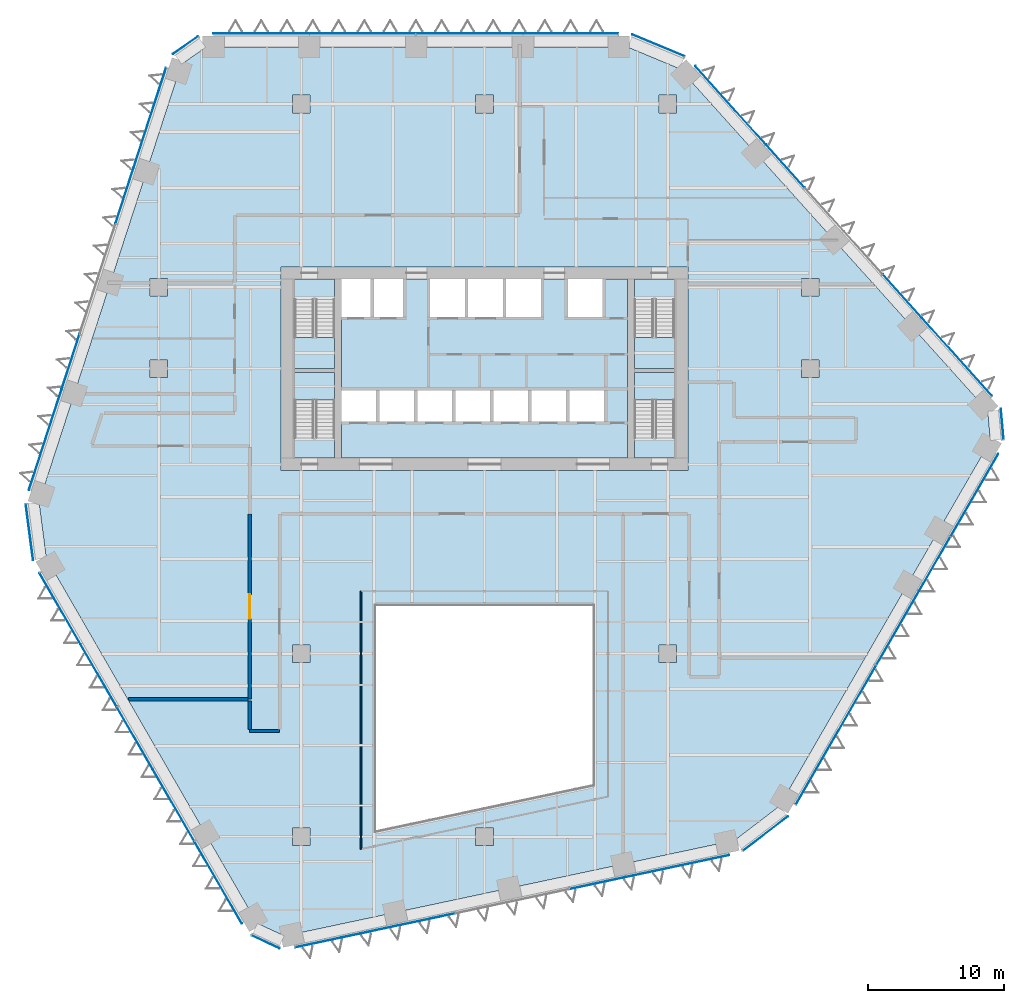
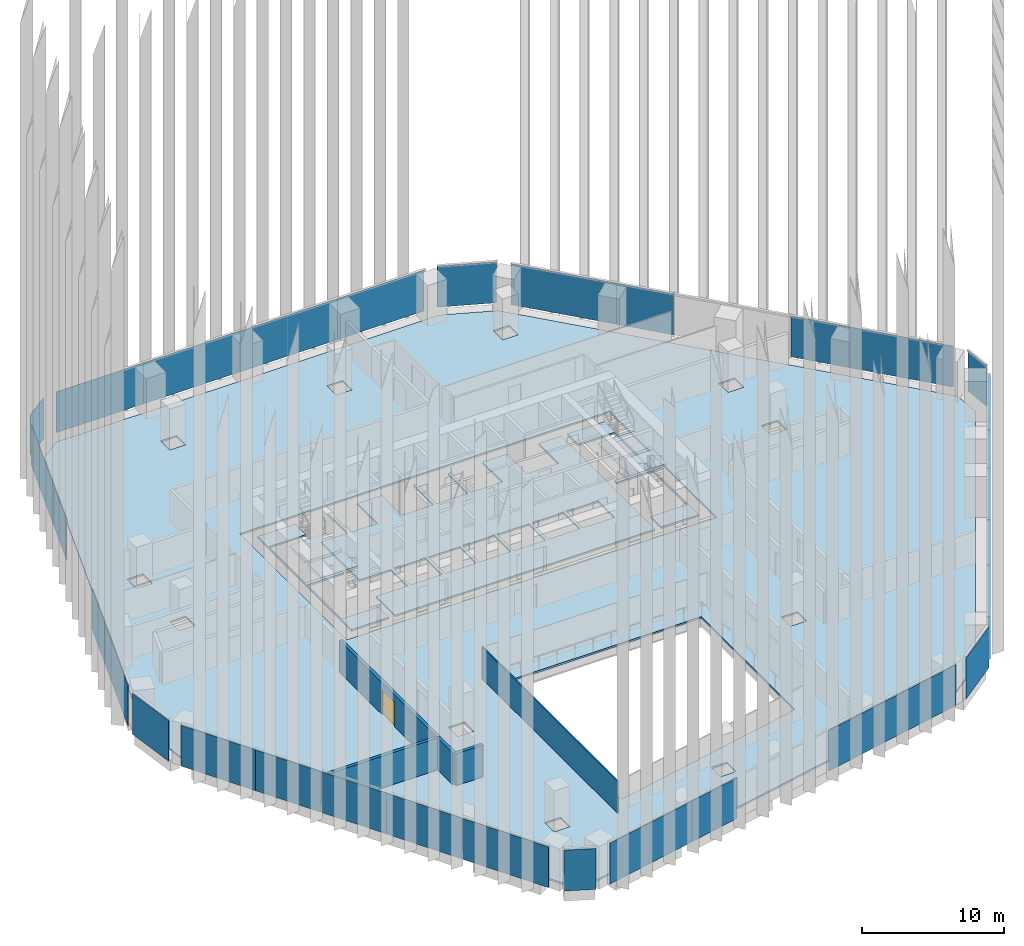
# One storey, part 13 of 24: 32 plates, 8 slabs, 5 walls, 1 door, 1 opening, 16 elements without a shape of their own.
"""IFC4 building model written with IfcOpenShell, lengths in metres."""

from ifc_helpers import new_model, si_unit, direction, frame, frame_2d, origin, origin_2d, place, context, subcontext, project, spatial, polyline, rectangle, outline, extrude, material, layer, layer_set, type_object, element, fill, aggregate, save


model = new_model("IFC4")

# Units and contexts
model_context = context("Model", 3, precision=1e-05, world=origin(), true_north=direction((0.0, 1.0)))
body_context = subcontext(model_context, "Body", "Model", "MODEL_VIEW")
ifc_project = project(units=[si_unit("LENGTHUNIT", "METRE"), si_unit("AREAUNIT", "SQUARE_METRE"), si_unit("VOLUMEUNIT", "CUBIC_METRE"), si_unit("PLANEANGLEUNIT", "RADIAN"), si_unit("MASSUNIT", "GRAM", prefix="KILO")], contexts=[model_context])

# Site, building, storey
site_placement = place(None, origin())
site = spatial("IfcSite", under=ifc_project, at=site_placement, CompositionType="ELEMENT")
building_placement = place(site_placement, origin())
building = spatial("IfcBuilding", under=site, at=building_placement, Name="Isthmus Gate Tower", CompositionType="ELEMENT")
storey_placement = place(building_placement, frame((0.0, 0.0, 80.64990234375)))
storey = spatial("IfcBuildingStorey", under=building, at=storey_placement, Name="L18", CompositionType="ELEMENT", Elevation=80.64990234375)

# Slabs
ifc_material_1 = material(Name="Concrete f'c 40 MPa", Category="concrete")
ifc_layer_1 = layer(ifc_material_1, 0.14990234375)
ifc_layer_set_1 = layer_set([ifc_layer_1], Name="COMPOSITE FLOOR SLAB 150")
slab_type_1 = type_object("IfcSlabType", Name="COMPOSITE FLOOR SLAB 150", PredefinedType="FLOOR", material=ifc_layer_set_1)
slab_1_placement = place(storey_placement, frame((0.0, 0.0, -0.14990234375)))
element("IfcSlab", 1, at=slab_1_placement, inside=storey, type_object=slab_type_1, Name="str-slab-L18-1", PredefinedType="FLOOR", context=body_context, shape_type="SweptSolid", body=[
    extrude(outline(polyline([(14.391357421875, 29.599365234375), (37.081787109375, 4.399169921875), (37.281494140625, 2.17333984375), (21.748779296875, -24.729736328125), (18.438232421875, -27.262939453125), (-14.73095703125, -34.313232421875), (-16.758544921875, -33.373291015625), (-32.291015625, -6.47021484375), (-32.82958984375, -2.33642578125), (-22.3505859375, 29.9140625), (-20.52294921875, 31.199951171875), (10.542236328125, 31.199951171875), (14.391357421875, 29.599365234375)]), holes=[polyline([(-14.14990234375, -27.64990234375), (-12.85009765625, -27.64990234375), (-12.85009765625, -26.35009765625), (-14.14990234375, -26.35009765625), (-14.14990234375, -27.64990234375)]), polyline([(-0.64990234375, -26.35009765625), (-0.64990234375, -27.64990234375), (0.64990234375, -27.64990234375), (0.64990234375, -26.35009765625), (-0.64990234375, -26.35009765625)]), polyline([(-14.14990234375, -12.85009765625), (-14.14990234375, -14.14990234375), (-12.85009765625, -14.14990234375), (-12.85009765625, -12.85009765625), (-14.14990234375, -12.85009765625)]), polyline([(-24.64990234375, 8.14990234375), (-24.64990234375, 6.85009765625), (-23.35009765625, 6.85009765625), (-23.35009765625, 8.14990234375), (-24.64990234375, 8.14990234375)]), polyline([(-23.35009765625, 14.14990234375), (-24.64990234375, 14.14990234375), (-24.64990234375, 12.85009765625), (-23.35009765625, 12.85009765625), (-23.35009765625, 14.14990234375)]), polyline([(-14.14990234375, 27.64990234375), (-14.14990234375, 26.35009765625), (-12.85009765625, 26.35009765625), (-12.85009765625, 27.64990234375), (-14.14990234375, 27.64990234375)]), polyline([(-0.64990234375, 27.64990234375), (-0.64990234375, 26.35009765625), (0.64990234375, 26.35009765625), (0.64990234375, 27.64990234375), (-0.64990234375, 27.64990234375)]), polyline([(8.0, -23.143310546875), (8.0, -10.0), (-8.0, -10.0), (-8.0, -26.544189453125), (8.0, -23.143310546875)]), polyline([(14.14990234375, -12.85009765625), (12.85009765625, -12.85009765625), (12.85009765625, -14.14990234375), (14.14990234375, -14.14990234375), (14.14990234375, -12.85009765625)]), polyline([(15.0, 15.0), (-15.0, 15.0), (-15.0, 0.0), (15.0, 0.0), (15.0, 15.0)]), polyline([(24.64990234375, 8.14990234375), (23.35009765625, 8.14990234375), (23.35009765625, 6.85009765625), (24.64990234375, 6.85009765625), (24.64990234375, 8.14990234375)]), polyline([(23.35009765625, 14.14990234375), (23.35009765625, 12.85009765625), (24.64990234375, 12.85009765625), (24.64990234375, 14.14990234375), (23.35009765625, 14.14990234375)]), polyline([(14.14990234375, 27.64990234375), (12.85009765625, 27.64990234375), (12.85009765625, 26.35009765625), (14.14990234375, 26.35009765625), (14.14990234375, 27.64990234375)])]), origin(), (0.0, 0.0, 1.0), 0.14990234375),
])
ifc_material_2 = material(Name="Concrete f'c 40 MPa", Category="concrete")
ifc_layer_2 = layer(ifc_material_2, 0.14990234375)
ifc_layer_set_2 = layer_set([ifc_layer_2], Name="CORE FLOOR SLAB 150")
slab_type_2 = type_object("IfcSlabType", Name="CORE FLOOR SLAB 150", PredefinedType="FLOOR", material=ifc_layer_set_2)
slab_2_placement = place(storey_placement, frame((0.0, 0.0, -0.14990234375)))
element("IfcSlab", 2, at=slab_2_placement, inside=storey, type_object=slab_type_2, Name="L18 core floor", PredefinedType="FLOOR", context=body_context, shape_type="SweptSolid", body=[
    extrude(outline(polyline([(-11.050048828125, 0.89990234375), (-11.050048828125, 2.402099609375), (-14.0, 2.402099609375), (-14.0, 7.199951171875), (-11.050048828125, 7.199951171875), (-11.050048828125, 7.5), (-14.0, 7.5), (-14.0, 12.597900390625), (-11.050048828125, 12.597900390625), (-11.050048828125, 14.10009765625), (-14.10009765625, 14.10009765625), (-14.10009765625, 0.89990234375), (-11.050048828125, 0.89990234375)])), origin(), (0.0, 0.0, 1.0), 0.14990234375),
])
slab_3_placement = place(storey_placement, frame((0.0, 0.0, -0.14990234375)))
element("IfcSlab", 3, at=slab_3_placement, inside=storey, type_object=slab_type_2, Name="L18 core floor", PredefinedType="FLOOR", context=body_context, shape_type="SweptSolid", body=[
    extrude(outline(polyline([(10.550048828125, 14.10009765625), (8.699951171875, 14.10009765625), (8.699951171875, 11.300048828125), (6.14990234375, 11.300048828125), (6.14990234375, 14.10009765625), (4.14990234375, 14.10009765625), (4.14990234375, 11.300048828125), (1.60009765625, 11.300048828125), (1.60009765625, 14.10009765625), (1.35009765625, 14.10009765625), (1.35009765625, 11.300048828125), (-1.199951171875, 11.300048828125), (-1.199951171875, 14.10009765625), (-1.449951171875, 14.10009765625), (-1.449951171875, 11.300048828125), (-4.0, 11.300048828125), (-4.0, 14.10009765625), (-6.0, 14.10009765625), (-6.0, 11.300048828125), (-8.14990234375, 11.300048828125), (-8.14990234375, 14.10009765625), (-8.39990234375, 14.10009765625), (-8.39990234375, 11.300048828125), (-10.550048828125, 11.300048828125), (-10.550048828125, 5.89990234375), (-8.0, 5.89990234375), (-8.0, 3.60009765625), (-10.550048828125, 3.60009765625), (-10.550048828125, 0.89990234375), (10.550048828125, 0.89990234375), (10.550048828125, 14.10009765625)]), holes=[polyline([(-5.199951171875, 5.89990234375), (-5.199951171875, 3.60009765625), (-7.75, 3.60009765625), (-7.75, 5.89990234375), (-5.199951171875, 5.89990234375)]), polyline([(-2.39990234375, 5.89990234375), (-2.39990234375, 3.60009765625), (-4.949951171875, 3.60009765625), (-4.949951171875, 5.89990234375), (-2.39990234375, 5.89990234375)]), polyline([(0.39990234375, 5.89990234375), (0.39990234375, 3.60009765625), (-2.14990234375, 3.60009765625), (-2.14990234375, 5.89990234375), (0.39990234375, 5.89990234375)]), polyline([(3.199951171875, 5.89990234375), (3.199951171875, 3.60009765625), (0.64990234375, 3.60009765625), (0.64990234375, 5.89990234375), (3.199951171875, 5.89990234375)]), polyline([(6.0, 5.89990234375), (6.0, 3.60009765625), (3.449951171875, 3.60009765625), (3.449951171875, 5.89990234375), (6.0, 5.89990234375)]), polyline([(8.800048828125, 5.89990234375), (8.800048828125, 3.60009765625), (6.25, 3.60009765625), (6.25, 5.89990234375), (8.800048828125, 5.89990234375)])]), origin(), (0.0, 0.0, 1.0), 0.14990234375),
])
slab_4_placement = place(storey_placement, frame((0.0, 0.0, -0.14990234375)))
element("IfcSlab", 4, at=slab_4_placement, inside=storey, type_object=slab_type_2, Name="L18 core floor", PredefinedType="FLOOR", context=body_context, shape_type="SweptSolid", body=[
    extrude(outline(polyline([(11.050048828125, 14.10009765625), (11.050048828125, 12.597900390625), (14.0, 12.597900390625), (14.0, 7.5), (11.050048828125, 7.5), (11.050048828125, 7.199951171875), (14.0, 7.199951171875), (14.0, 2.402099609375), (11.050048828125, 2.402099609375), (11.050048828125, 0.89990234375), (14.10009765625, 0.89990234375), (14.10009765625, 14.10009765625), (11.050048828125, 14.10009765625)])), origin(), (0.0, 0.0, 1.0), 0.14990234375),
])

# Curtain wall, plates
ifc_material_3 = material(Name="Aluminium, pale champagne anodised", Category="aluminium")
ifc_layer_3 = layer(ifc_material_3, 0.199951171875)
ifc_layer_set_3 = layer_set([ifc_layer_3], Name="CW-1 UNITISED CURTAIN WALL 200 DEEP")
curtain_wall_type = type_object("IfcCurtainWallType", Name="CW-1 UNITISED CURTAIN WALL 200 DEEP", PredefinedType="NOTDEFINED", material=ifc_layer_set_3)
curtain_wall_1_placement = place(storey_placement, origin())
curtain_wall_1 = element("IfcCurtainWall", 5, at=curtain_wall_1_placement, inside=storey, type_object=curtain_wall_type, Name="CW-1 N L18", PredefinedType="NOTDEFINED")
ifc_material_4 = material(Name="Laminated low-iron glass, pale blue tint", Category="glass")
ifc_layer_4 = layer(ifc_material_4, 0.0400390625)
ifc_layer_set_4 = layer_set([ifc_layer_4], Name="CW-1 CLEAR GLASS LITE 40")
plate_type = type_object("IfcPlateType", Name="CW-1 CLEAR GLASS LITE 40", PredefinedType="CURTAIN_PANEL", material=ifc_layer_set_4)
plate_1_placement = place(storey_placement, frame((6.337158203125, 32.179931640625, 0.0), z_axis=(0.0, 0.0, 1.0), x_axis=(-1.0, 0.0, 0.0)))
plate_1 = element("IfcPlate", 6, at=plate_1_placement, type_object=plate_type, Name="CW-1 glass lite", PredefinedType="CURTAIN_PANEL", context=body_context, shape_type="SweptSolid", body=[
    extrude(rectangle(XDim=7.009521484375, YDim=0.0400390625, at=origin_2d()), origin(), (0.0, 0.0, 1.0), 3.5),
])
plate_2_placement = place(storey_placement, frame((-1.1025390625, 32.179931640625, 0.0), z_axis=(0.0, 0.0, 1.0), x_axis=(-1.0, 0.0, 0.0)))
plate_2 = element("IfcPlate", 7, at=plate_2_placement, type_object=plate_type, Name="CW-1 glass lite", PredefinedType="CURTAIN_PANEL", context=body_context, shape_type="SweptSolid", body=[
    extrude(rectangle(XDim=7.86962890625, YDim=0.0400390625, at=origin_2d()), origin(), (0.0, 0.0, 1.0), 3.5),
])
plate_3_placement = place(storey_placement, frame((-9.001953125, 32.179931640625, 0.0), z_axis=(0.0, 0.0, 1.0), x_axis=(-1.0, 0.0, 0.0)))
plate_3 = element("IfcPlate", 8, at=plate_3_placement, type_object=plate_type, Name="CW-1 glass lite", PredefinedType="CURTAIN_PANEL", context=body_context, shape_type="SweptSolid", body=[
    extrude(rectangle(XDim=7.8095703125, YDim=0.0400390625, at=origin_2d()), origin(), (0.0, 0.0, 1.0), 3.5),
])
plate_4_placement = place(storey_placement, frame((-16.44140625, 32.179931640625, 0.0), z_axis=(0.0, 0.0, 1.0), x_axis=(-1.0, 0.0, 0.0)))
plate_4 = element("IfcPlate", 9, at=plate_4_placement, type_object=plate_type, Name="CW-1 glass lite", PredefinedType="CURTAIN_PANEL", context=body_context, shape_type="SweptSolid", body=[
    extrude(rectangle(XDim=7.069580078125, YDim=0.0400390625, at=origin_2d()), origin(), (0.0, 0.0, 1.0), 3.5),
])
aggregate(curtain_wall_1, [plate_1, plate_2, plate_3, plate_4])

# Curtain wall, plate
curtain_wall_2_placement = place(storey_placement, origin())
curtain_wall_2 = element("IfcCurtainWall", 10, at=curtain_wall_2_placement, inside=storey, type_object=curtain_wall_type, Name="CW-1 N-NW L18", PredefinedType="NOTDEFINED")
plate_5_placement = place(storey_placement, frame((-22.025146484375, 31.341552734375, 0.0), z_axis=(0.0, 0.0, 1.0), x_axis=(-0.81785959165, -0.57541783805, 0.0)))
plate_5 = element("IfcPlate", 11, at=plate_5_placement, type_object=plate_type, Name="CW-1 glass lite", PredefinedType="CURTAIN_PANEL", context=body_context, shape_type="SweptSolid", body=[
    extrude(rectangle(XDim=2.258544921875, YDim=0.0400390625, at=origin_2d()), origin(), (0.0, 0.0, 1.0), 3.5),
])
aggregate(curtain_wall_2, [plate_5])

# Curtain wall, plates
curtain_wall_3_placement = place(storey_placement, origin())
curtain_wall_3 = element("IfcCurtainWall", 12, at=curtain_wall_3_placement, inside=storey, type_object=curtain_wall_type, Name="CW-1 NW L18", PredefinedType="NOTDEFINED")
plate_6_placement = place(storey_placement, frame((-24.660400390625, 25.97705078125, 0.0), z_axis=(0.0, 0.0, 1.0), x_axis=(-0.309016994375, -0.951056516295, 0.0)))
plate_6 = element("IfcPlate", 13, at=plate_6_placement, type_object=plate_type, Name="CW-1 glass lite", PredefinedType="CURTAIN_PANEL", context=body_context, shape_type="SweptSolid", body=[
    extrude(rectangle(XDim=7.729248046875, YDim=0.0400390625, at=origin_2d()), origin(), (0.0, 0.0, 1.0), 3.5),
])
plate_7_placement = place(storey_placement, frame((-26.51806640625, 20.25927734375, 0.0), z_axis=(0.0, 0.0, 1.0), x_axis=(-0.309016994375, -0.951056516295, 0.0)))
plate_7 = element("IfcPlate", 14, at=plate_7_placement, type_object=plate_type, Name="CW-1 glass lite", PredefinedType="CURTAIN_PANEL", context=body_context, shape_type="SweptSolid", body=[
    extrude(rectangle(XDim=4.294677734375, YDim=0.0400390625, at=origin_2d()), origin(), (0.0, 0.0, 1.0), 3.5),
])
plate_8_placement = place(storey_placement, frame((-30.5087890625, 7.9775390625, 0.0), z_axis=(0.0, 0.0, 1.0), x_axis=(-0.309016994375, -0.951056516295, 0.0)))
plate_8 = element("IfcPlate", 15, at=plate_8_placement, type_object=plate_type, Name="CW-1 glass lite", PredefinedType="CURTAIN_PANEL", context=body_context, shape_type="SweptSolid", body=[
    extrude(rectangle(XDim=4.234619140625, YDim=0.0400390625, at=origin_2d()), origin(), (0.0, 0.0, 1.0), 3.5),
])
plate_9_placement = place(storey_placement, frame((-32.36669921875, 2.259765625, 0.0), z_axis=(0.0, 0.0, 1.0), x_axis=(-0.309016994375, -0.951056516295, 0.0)))
plate_9 = element("IfcPlate", 16, at=plate_9_placement, type_object=plate_type, Name="CW-1 glass lite", PredefinedType="CURTAIN_PANEL", context=body_context, shape_type="SweptSolid", body=[
    extrude(rectangle(XDim=7.789306640625, YDim=0.0400390625, at=origin_2d()), origin(), (0.0, 0.0, 1.0), 3.5),
])
aggregate(curtain_wall_3, [plate_6, plate_7, plate_8, plate_9])

# Curtain wall, plate
curtain_wall_4_placement = place(storey_placement, origin())
curtain_wall_4 = element("IfcCurtainWall", 17, at=curtain_wall_4_placement, inside=storey, type_object=curtain_wall_type, Name="CW-1 NW-SW L18", PredefinedType="NOTDEFINED")
plate_10_placement = place(storey_placement, frame((-33.5283203125, -4.558349609375, 0.0), z_axis=(0.0, 0.0, 1.0), x_axis=(0.129164534, -0.991623175988, 0.0)))
plate_10 = element("IfcPlate", 18, at=plate_10_placement, type_object=plate_type, Name="CW-1 glass lite", PredefinedType="CURTAIN_PANEL", context=body_context, shape_type="SweptSolid", body=[
    extrude(rectangle(XDim=4.181396484375, YDim=0.0400390625, at=origin_2d()), origin(), (0.0, 0.0, 1.0), 3.5),
])
aggregate(curtain_wall_4, [plate_10])

# Curtain wall, plates
curtain_wall_5_placement = place(storey_placement, origin())
curtain_wall_5 = element("IfcCurtainWall", 19, at=curtain_wall_5_placement, inside=storey, type_object=curtain_wall_type, Name="CW-1 SW L18", PredefinedType="NOTDEFINED")
plate_11_placement = place(storey_placement, frame((-31.277587890625, -10.185791015625, 0.0), z_axis=(0.0, 0.0, 1.0), x_axis=(0.5, -0.866025403784, 0.0)))
plate_11 = element("IfcPlate", 20, at=plate_11_placement, type_object=plate_type, Name="CW-1 glass lite", PredefinedType="CURTAIN_PANEL", context=body_context, shape_type="SweptSolid", body=[
    extrude(rectangle(XDim=6.048583984375, YDim=0.0400390625, at=origin_2d()), origin(), (0.0, 0.0, 1.0), 3.5),
])
plate_12_placement = place(storey_placement, frame((-28.438232421875, -15.103759765625, 0.0), z_axis=(0.0, 0.0, 1.0), x_axis=(0.5, -0.866025403784, 0.0)))
plate_12 = element("IfcPlate", 21, at=plate_12_placement, type_object=plate_type, Name="CW-1 glass lite", PredefinedType="CURTAIN_PANEL", context=body_context, shape_type="SweptSolid", body=[
    extrude(rectangle(XDim=5.30859375, YDim=0.0400390625, at=origin_2d()), origin(), (0.0, 0.0, 1.0), 3.5),
])
plate_13_placement = place(storey_placement, frame((-25.768798828125, -19.72705078125, 0.0), z_axis=(0.0, 0.0, 1.0), x_axis=(0.5, -0.866025403784, 0.0)))
plate_13 = element("IfcPlate", 22, at=plate_13_placement, type_object=plate_type, Name="CW-1 glass lite", PredefinedType="CURTAIN_PANEL", context=body_context, shape_type="SweptSolid", body=[
    extrude(rectangle(XDim=5.24853515625, YDim=0.0400390625, at=origin_2d()), origin(), (0.0, 0.0, 1.0), 3.5),
])
plate_14_placement = place(storey_placement, frame((-22.929443359375, -24.644775390625, 0.0), z_axis=(0.0, 0.0, 1.0), x_axis=(0.5, -0.866025403784, 0.0)))
plate_14 = element("IfcPlate", 23, at=plate_14_placement, type_object=plate_type, Name="CW-1 glass lite", PredefinedType="CURTAIN_PANEL", context=body_context, shape_type="SweptSolid", body=[
    extrude(rectangle(XDim=6.108642578125, YDim=0.0400390625, at=origin_2d()), origin(), (0.0, 0.0, 1.0), 3.5),
])
plate_15_placement = place(storey_placement, frame((-19.62646484375, -30.365966796875, 0.0), z_axis=(0.0, 0.0, 1.0), x_axis=(0.5, -0.866025403784, 0.0)))
plate_15 = element("IfcPlate", 24, at=plate_15_placement, type_object=plate_type, Name="CW-1 glass lite", PredefinedType="CURTAIN_PANEL", context=body_context, shape_type="SweptSolid", body=[
    extrude(rectangle(XDim=6.983642578125, YDim=0.0400390625, at=origin_2d()), origin(), (0.0, 0.0, 1.0), 3.5),
])
aggregate(curtain_wall_5, [plate_11, plate_12, plate_13, plate_14, plate_15])

# Curtain wall, plate
curtain_wall_6_placement = place(storey_placement, origin())
curtain_wall_6 = element("IfcCurtainWall", 25, at=curtain_wall_6_placement, inside=storey, type_object=curtain_wall_type, Name="CW-1 SW-S L18", PredefinedType="NOTDEFINED")
plate_16_placement = place(storey_placement, frame((-16.1298828125, -34.7451171875, 0.0), z_axis=(0.0, 0.0, 1.0), x_axis=(0.907256261367, -0.420578264073, 0.0)))
plate_16 = element("IfcPlate", 26, at=plate_16_placement, type_object=plate_type, Name="CW-1 glass lite", PredefinedType="CURTAIN_PANEL", context=body_context, shape_type="SweptSolid", body=[
    extrude(rectangle(XDim=2.258544921875, YDim=0.0400390625, at=origin_2d()), origin(), (0.0, 0.0, 1.0), 3.5),
])
aggregate(curtain_wall_6, [plate_16])

# Curtain wall, plates
curtain_wall_7_placement = place(storey_placement, origin())
curtain_wall_7 = element("IfcCurtainWall", 27, at=curtain_wall_7_placement, inside=storey, type_object=curtain_wall_type, Name="CW-1 S L18", PredefinedType="NOTDEFINED")
plate_17_placement = place(storey_placement, frame((-10.166748046875, -34.344970703125, 0.0), z_axis=(0.0, 0.0, 1.0), x_axis=(0.978147600734, 0.207911690818, 0.0)))
plate_17 = element("IfcPlate", 28, at=plate_17_placement, type_object=plate_type, Name="CW-1 glass lite", PredefinedType="CURTAIN_PANEL", context=body_context, shape_type="SweptSolid", body=[
    extrude(rectangle(XDim=7.729248046875, YDim=0.0400390625, at=origin_2d()), origin(), (0.0, 0.0, 1.0), 3.5),
])
plate_18_placement = place(storey_placement, frame((-4.2861328125, -33.094970703125, 0.0), z_axis=(0.0, 0.0, 1.0), x_axis=(0.978147600734, 0.207911690818, 0.0)))
plate_18 = element("IfcPlate", 29, at=plate_18_placement, type_object=plate_type, Name="CW-1 glass lite", PredefinedType="CURTAIN_PANEL", context=body_context, shape_type="SweptSolid", body=[
    extrude(rectangle(XDim=4.294677734375, YDim=0.0400390625, at=origin_2d()), origin(), (0.0, 0.0, 1.0), 3.5),
])
plate_19_placement = place(storey_placement, frame((8.345703125, -30.41015625, 0.0), z_axis=(0.0, 0.0, 1.0), x_axis=(0.978147600734, 0.207911690818, 0.0)))
plate_19 = element("IfcPlate", 30, at=plate_19_placement, type_object=plate_type, Name="CW-1 glass lite", PredefinedType="CURTAIN_PANEL", context=body_context, shape_type="SweptSolid", body=[
    extrude(rectangle(XDim=4.234619140625, YDim=0.0400390625, at=origin_2d()), origin(), (0.0, 0.0, 1.0), 3.5),
])
plate_20_placement = place(storey_placement, frame((14.226318359375, -29.16015625, 0.0), z_axis=(0.0, 0.0, 1.0), x_axis=(0.978147600734, 0.207911690818, 0.0)))
plate_20 = element("IfcPlate", 31, at=plate_20_placement, type_object=plate_type, Name="CW-1 glass lite", PredefinedType="CURTAIN_PANEL", context=body_context, shape_type="SweptSolid", body=[
    extrude(rectangle(XDim=7.789306640625, YDim=0.0400390625, at=origin_2d()), origin(), (0.0, 0.0, 1.0), 3.5),
])
aggregate(curtain_wall_7, [plate_17, plate_18, plate_19, plate_20])

# Curtain wall, plate
curtain_wall_8_placement = place(storey_placement, origin())
curtain_wall_8 = element("IfcCurtainWall", 32, at=curtain_wall_8_placement, inside=storey, type_object=curtain_wall_type, Name="CW-1 S-SE L18", PredefinedType="NOTDEFINED")
plate_21_placement = place(storey_placement, frame((20.711669921875, -26.75732421875, 0.0), z_axis=(0.0, 0.0, 1.0), x_axis=(0.794188594387, 0.607671355706, 0.0)))
plate_21 = element("IfcPlate", 33, at=plate_21_placement, type_object=plate_type, Name="CW-1 glass lite", PredefinedType="CURTAIN_PANEL", context=body_context, shape_type="SweptSolid", body=[
    extrude(rectangle(XDim=4.181396484375, YDim=0.0400390625, at=origin_2d()), origin(), (0.0, 0.0, 1.0), 3.5),
])
aggregate(curtain_wall_8, [plate_21])

# Curtain wall, plates
curtain_wall_9_placement = place(storey_placement, origin())
curtain_wall_9 = element("IfcCurtainWall", 34, at=curtain_wall_9_placement, inside=storey, type_object=curtain_wall_type, Name="CW-1 SE L18", PredefinedType="NOTDEFINED")
plate_22_placement = place(storey_placement, frame((24.517333984375, -21.89453125, 0.0), z_axis=(0.0, 0.0, 1.0), x_axis=(0.5, 0.866025403784, 0.0)))
plate_22 = element("IfcPlate", 35, at=plate_22_placement, type_object=plate_type, Name="CW-1 glass lite", PredefinedType="CURTAIN_PANEL", context=body_context, shape_type="SweptSolid", body=[
    extrude(rectangle(XDim=6.278564453125, YDim=0.0400390625, at=origin_2d()), origin(), (0.0, 0.0, 1.0), 3.5),
])
plate_23_placement = place(storey_placement, frame((27.4716796875, -16.777587890625, 0.0), z_axis=(0.0, 0.0, 1.0), x_axis=(0.5, 0.866025403784, 0.0)))
plate_23 = element("IfcPlate", 36, at=plate_23_placement, type_object=plate_type, Name="CW-1 glass lite", PredefinedType="CURTAIN_PANEL", context=body_context, shape_type="SweptSolid", body=[
    extrude(rectangle(XDim=5.53857421875, YDim=0.0400390625, at=origin_2d()), origin(), (0.0, 0.0, 1.0), 3.5),
])
plate_24_placement = place(storey_placement, frame((30.4560546875, -11.608642578125, 0.0), z_axis=(0.0, 0.0, 1.0), x_axis=(0.5, 0.866025403784, 0.0)))
plate_24 = element("IfcPlate", 37, at=plate_24_placement, type_object=plate_type, Name="CW-1 glass lite", PredefinedType="CURTAIN_PANEL", context=body_context, shape_type="SweptSolid", body=[
    extrude(rectangle(XDim=6.278564453125, YDim=0.0400390625, at=origin_2d()), origin(), (0.0, 0.0, 1.0), 3.5),
])
plate_25_placement = place(storey_placement, frame((33.173828125, -6.901123046875, 0.0), z_axis=(0.0, 0.0, 1.0), x_axis=(0.5, 0.866025403784, 0.0)))
plate_25 = element("IfcPlate", 38, at=plate_25_placement, type_object=plate_type, Name="CW-1 glass lite", PredefinedType="CURTAIN_PANEL", context=body_context, shape_type="SweptSolid", body=[
    extrude(rectangle(XDim=4.5927734375, YDim=0.0400390625, at=origin_2d()), origin(), (0.0, 0.0, 1.0), 3.5),
])
plate_26_placement = place(storey_placement, frame((36.1044921875, -1.8251953125, 0.0), z_axis=(0.0, 0.0, 1.0), x_axis=(0.5, 0.866025403784, 0.0)))
plate_26 = element("IfcPlate", 39, at=plate_26_placement, type_object=plate_type, Name="CW-1 glass lite", PredefinedType="CURTAIN_PANEL", context=body_context, shape_type="SweptSolid", body=[
    extrude(rectangle(XDim=7.009521484375, YDim=0.0400390625, at=origin_2d()), origin(), (0.0, 0.0, 1.0), 3.5),
])
aggregate(curtain_wall_9, [plate_22, plate_23, plate_24, plate_25, plate_26])

# Curtain wall, plate
curtain_wall_10_placement = place(storey_placement, origin())
curtain_wall_10 = element("IfcCurtainWall", 40, at=curtain_wall_10_placement, inside=storey, type_object=curtain_wall_type, Name="CW-1 SE-NE L18", PredefinedType="NOTDEFINED")
plate_27_placement = place(storey_placement, frame((38.155029296875, 3.403564453125, 0.0), z_axis=(0.0, 0.0, 1.0), x_axis=(-0.089396669717, 0.995996102123, 0.0)))
plate_27 = element("IfcPlate", 41, at=plate_27_placement, type_object=plate_type, Name="CW-1 glass lite", PredefinedType="CURTAIN_PANEL", context=body_context, shape_type="SweptSolid", body=[
    extrude(rectangle(XDim=2.258544921875, YDim=0.0400390625, at=origin_2d()), origin(), (0.0, 0.0, 1.0), 3.5),
])
aggregate(curtain_wall_10, [plate_27])

# Curtain wall, plates
curtain_wall_11_placement = place(storey_placement, origin())
curtain_wall_11 = element("IfcCurtainWall", 42, at=curtain_wall_11_placement, inside=storey, type_object=curtain_wall_type, Name="CW-1 NE L18", PredefinedType="NOTDEFINED")
plate_28_placement = place(storey_placement, frame((34.826904296875, 8.367919921875, 0.0), z_axis=(0.0, 0.0, 1.0), x_axis=(-0.669130606359, 0.743144825477, 0.0)))
plate_28 = element("IfcPlate", 43, at=plate_28_placement, type_object=plate_type, Name="CW-1 glass lite", PredefinedType="CURTAIN_PANEL", context=body_context, shape_type="SweptSolid", body=[
    extrude(rectangle(XDim=7.729248046875, YDim=0.0400390625, at=origin_2d()), origin(), (0.0, 0.0, 1.0), 3.5),
])
plate_29_placement = place(storey_placement, frame((30.80419921875, 12.835693359375, 0.0), z_axis=(0.0, 0.0, 1.0), x_axis=(-0.669130606359, 0.743144825477, 0.0)))
plate_29 = element("IfcPlate", 44, at=plate_29_placement, type_object=plate_type, Name="CW-1 glass lite", PredefinedType="CURTAIN_PANEL", context=body_context, shape_type="SweptSolid", body=[
    extrude(rectangle(XDim=4.294677734375, YDim=0.0400390625, at=origin_2d()), origin(), (0.0, 0.0, 1.0), 3.5),
])
plate_30_placement = place(storey_placement, frame((22.1630859375, 22.4326171875, 0.0), z_axis=(0.0, 0.0, 1.0), x_axis=(-0.669130606359, 0.743144825477, 0.0)))
plate_30 = element("IfcPlate", 45, at=plate_30_placement, type_object=plate_type, Name="CW-1 glass lite", PredefinedType="CURTAIN_PANEL", context=body_context, shape_type="SweptSolid", body=[
    extrude(rectangle(XDim=4.234619140625, YDim=0.0400390625, at=origin_2d()), origin(), (0.0, 0.0, 1.0), 3.5),
])
plate_31_placement = place(storey_placement, frame((18.14013671875, 26.900390625, 0.0), z_axis=(0.0, 0.0, 1.0), x_axis=(-0.669130606359, 0.743144825477, 0.0)))
plate_31 = element("IfcPlate", 46, at=plate_31_placement, type_object=plate_type, Name="CW-1 glass lite", PredefinedType="CURTAIN_PANEL", context=body_context, shape_type="SweptSolid", body=[
    extrude(rectangle(XDim=7.789306640625, YDim=0.0400390625, at=origin_2d()), origin(), (0.0, 0.0, 1.0), 3.5),
])
aggregate(curtain_wall_11, [plate_28, plate_29, plate_30, plate_31])

# Curtain wall, plate
curtain_wall_12_placement = place(storey_placement, origin())
curtain_wall_12 = element("IfcCurtainWall", 47, at=curtain_wall_12_placement, inside=storey, type_object=curtain_wall_type, Name="CW-1 NE-N L18", PredefinedType="NOTDEFINED")
plate_32_placement = place(storey_placement, frame((12.816650390625, 31.315673828125, 0.0), z_axis=(0.0, 0.0, 1.0), x_axis=(-0.923353128387, 0.383951820282, 0.0)))
plate_32 = element("IfcPlate", 48, at=plate_32_placement, type_object=plate_type, Name="CW-1 glass lite", PredefinedType="CURTAIN_PANEL", context=body_context, shape_type="SweptSolid", body=[
    extrude(rectangle(XDim=4.181396484375, YDim=0.0400390625, at=origin_2d()), origin(), (0.0, 0.0, 1.0), 3.5),
])
aggregate(curtain_wall_12, [plate_32])

# Stair, slab
ifc_material_5 = material(Name="Concrete f'c 40 MPa", Category="concrete")
stair_type = type_object("IfcStairType", Name="CORE STAIR 22 RISERS", PredefinedType="HALF_TURN_STAIR", material=ifc_material_5)
stair_1_placement = place(storey_placement, origin())
stair_1 = element("IfcStair", 49, at=stair_1_placement, inside=storey, type_object=stair_type, Name="L18 Exit Stair 1", PredefinedType="HALF_TURN_STAIR")
ifc_material_6 = material(Name="Concrete f'c 40 MPa", Category="concrete")
ifc_layer_5 = layer(ifc_material_6, 0.199951171875)
ifc_layer_set_5 = layer_set([ifc_layer_5])
slab_type_3 = type_object("IfcSlabType", Name="STAIR LANDING RC 200", PredefinedType="LANDING", material=ifc_layer_set_5)
slab_5_placement = place(storey_placement, frame((0.0, 0.0, 1.625)))
slab_5 = element("IfcSlab", 50, at=slab_5_placement, type_object=slab_type_3, Name="ST1 landing 1", PredefinedType="LANDING", context=body_context, shape_type="SweptSolid", body=[
    extrude(outline(polyline([(-14.0, 9.800048828125), (-14.0, 7.5), (-11.050048828125, 7.5), (-11.050048828125, 9.800048828125), (-14.0, 9.800048828125)])), origin(), (0.0, 0.0, 1.0), 0.2001953125),
])
aggregate(stair_1, [slab_5])

stair_2_placement = place(storey_placement, origin())
stair_2 = element("IfcStair", 51, at=stair_2_placement, inside=storey, type_object=stair_type, Name="L18 Exit Stair 2", PredefinedType="HALF_TURN_STAIR")
slab_6_placement = place(storey_placement, frame((0.0, 0.0, 1.625)))
slab_6 = element("IfcSlab", 52, at=slab_6_placement, type_object=slab_type_3, Name="ST2 landing 1", PredefinedType="LANDING", context=body_context, shape_type="SweptSolid", body=[
    extrude(outline(polyline([(11.050048828125, 9.800048828125), (11.050048828125, 7.5), (14.0, 7.5), (14.0, 9.800048828125), (11.050048828125, 9.800048828125)])), origin(), (0.0, 0.0, 1.0), 0.2001953125),
])
aggregate(stair_2, [slab_6])

stair_3_placement = place(storey_placement, origin())
stair_3 = element("IfcStair", 53, at=stair_3_placement, inside=storey, type_object=stair_type, Name="L18 Exit Stair 7", PredefinedType="HALF_TURN_STAIR")
slab_7_placement = place(storey_placement, frame((0.0, 0.0, 1.625)))
slab_7 = element("IfcSlab", 54, at=slab_7_placement, type_object=slab_type_3, Name="ST7 landing 1", PredefinedType="LANDING", context=body_context, shape_type="SweptSolid", body=[
    extrude(outline(polyline([(-11.050048828125, 5.199951171875), (-11.050048828125, 7.199951171875), (-14.0, 7.199951171875), (-14.0, 5.199951171875), (-11.050048828125, 5.199951171875)])), origin(), (0.0, 0.0, 1.0), 0.2001953125),
])
aggregate(stair_3, [slab_7])

stair_4_placement = place(storey_placement, origin())
stair_4 = element("IfcStair", 55, at=stair_4_placement, inside=storey, type_object=stair_type, Name="L18 Exit Stair 8", PredefinedType="HALF_TURN_STAIR")
slab_8_placement = place(storey_placement, frame((0.0, 0.0, 1.625)))
slab_8 = element("IfcSlab", 56, at=slab_8_placement, type_object=slab_type_3, Name="ST8 landing 1", PredefinedType="LANDING", context=body_context, shape_type="SweptSolid", body=[
    extrude(outline(polyline([(14.0, 5.199951171875), (14.0, 7.199951171875), (11.050048828125, 7.199951171875), (11.050048828125, 5.199951171875), (14.0, 5.199951171875)])), origin(), (0.0, 0.0, 1.0), 0.2001953125),
])
aggregate(stair_4, [slab_8])

# Wall
ifc_material_7 = material(Name="Double-leaf acoustic stud wall, fire-rated", Category="gypsum")
ifc_layer_6 = layer(ifc_material_7, 0.25)
ifc_layer_set_6 = layer_set([ifc_layer_6], Name="ACOUSTIC WALL 250 60 MIN")
wall_type_1 = type_object("IfcWallType", Name="ACOUSTIC WALL 250 60 MIN", PredefinedType="PARTITIONING", material=ifc_layer_set_6)
wall_1_placement = place(storey_placement, frame((-15.10009765625, -19.199951171875, 0.0), z_axis=(0.0, 0.0, 1.0), x_axis=(-1.0, 0.0, 0.0)))
element("IfcWall", 57, at=wall_1_placement, inside=storey, type_object=wall_type_1, Name="L18 Acoustic Wall 250 60 Min", PredefinedType="PARTITIONING", context=body_context, shape_type="SweptSolid", body=[
    extrude(rectangle(XDim=2.199951171875, YDim=0.25, at=frame_2d((1.10009765625, 0.0))), origin(), (0.0, 0.0, 1.0), 2.7412109375),
])

# Wall, opening, door
wall_2_placement = place(storey_placement, frame((-17.300048828125, -16.862060546875, 0.0), z_axis=(0.0, 0.0, 1.0), x_axis=(0.0, 1.0, 0.0)))
wall_2 = element("IfcWall", 58, at=wall_2_placement, inside=storey, type_object=wall_type_1, Name="L18 Acoustic Wall 250 60 Min", PredefinedType="PARTITIONING", context=body_context, shape_type="SweptSolid", body=[
    extrude(rectangle(XDim=13.66015625, YDim=0.25, at=frame_2d((6.830078125, 0.0))), origin(), (0.0, 0.0, 1.0), 2.7412109375),
])
opening_placement = place(wall_2_placement, frame((5.929931640625, 0.0, 0.0)))
opening = element("IfcOpeningElement", 59, at=opening_placement, cuts=wall_2, Name="Opening DT-T2A-10", PredefinedType="OPENING", context=body_context, shape_type="SweptSolid", body=[
    extrude(rectangle(XDim=1.800048828125, YDim=2.10009765625, at=frame_2d((0.89990234375, 1.050048828125))), frame((0.0, 0.135009765625, 0.0), z_axis=(0.0, -1.0, 0.0), x_axis=(1.0, 0.0, 0.0)), (0.0, 0.0, 1.0), 0.27001953125),
])
ifc_material_8 = material(Name="Solid core timber door leaf, fire-rated", Category="wood")
door_type = type_object("IfcDoorType", Name="FIRE DOOR ACOUSTIC ROOM 1800 X 2100 60 MIN", OperationType="DOUBLE_DOOR_DOUBLE_SWING", PredefinedType="DOOR", material=ifc_material_8)
door_placement = place(opening_placement, origin())
door = element("IfcDoor", 60, at=door_placement, inside=storey, type_object=door_type, Name="L18 room door", OperationType="DOUBLE_DOOR_DOUBLE_SWING", OverallHeight=2.10009765625, OverallWidth=1.800048828125, PredefinedType="DOOR", context=body_context, shape_type="SweptSolid", body=[
    extrude(rectangle(XDim=1.800048828125, YDim=2.10009765625, at=frame_2d((0.89990234375, 1.050048828125))), frame((0.0, 0.02490234375, 0.0), z_axis=(0.0, -1.0, 0.0), x_axis=(1.0, 0.0, 0.0)), (0.0, 0.0, 1.0), 0.050048828125),
])
fill(opening, door)

# Walls
wall_3_placement = place(storey_placement, frame((-26.221923828125, -16.862060546875, 0.0), z_axis=(0.0, 0.0, 1.0), x_axis=(1.0, 0.0, 0.0)))
element("IfcWall", 61, at=wall_3_placement, inside=storey, type_object=wall_type_1, Name="L18 Acoustic Wall 250 60 Min", PredefinedType="PARTITIONING", context=body_context, shape_type="SweptSolid", body=[
    extrude(rectangle(XDim=8.796875, YDim=0.25, at=frame_2d((4.3984375, 0.0))), origin(), (0.0, 0.0, 1.0), 2.7412109375),
])
wall_4_placement = place(storey_placement, frame((-17.300048828125, -19.074951171875, 0.0), z_axis=(0.0, 0.0, 1.0), x_axis=(0.0, 1.0, 0.0)))
element("IfcWall", 62, at=wall_4_placement, inside=storey, type_object=wall_type_1, Name="L18 Acoustic Wall 250 60 Min", PredefinedType="PARTITIONING", context=body_context, shape_type="SweptSolid", body=[
    extrude(rectangle(XDim=2.087890625, YDim=0.25, at=frame_2d((1.0439453125, 0.0))), origin(), (0.0, 0.0, 1.0), 2.7412109375),
])
ifc_material_9 = material(Name="Fire-rated laminated glass in steel frame", Category="steel")
ifc_layer_7 = layer(ifc_material_9, 0.10009765625)
ifc_layer_set_7 = layer_set([ifc_layer_7], Name="ATRIUM SCREEN GLAZED WALL 100 120 MIN")
wall_type_2 = type_object("IfcWallType", Name="ATRIUM SCREEN GLAZED WALL 100 120 MIN", PredefinedType="PARTITIONING", material=ifc_layer_set_7)
wall_5_placement = place(storey_placement, frame((-9.10009765625, -27.902587890625, 0.0), z_axis=(0.0, 0.0, 1.0), x_axis=(0.0, 1.0, 0.0)))
element("IfcWall", 63, at=wall_5_placement, inside=storey, type_object=wall_type_2, Name="L18 atrium screen", PredefinedType="PARTITIONING", context=body_context, shape_type="SweptSolid", body=[
    extrude(rectangle(XDim=19.002685546875, YDim=0.10009765625, at=frame_2d((9.50146484375, 0.0))), origin(), (0.0, 0.0, 1.0), 2.7412109375),
])

save(model, "model.ifc")
